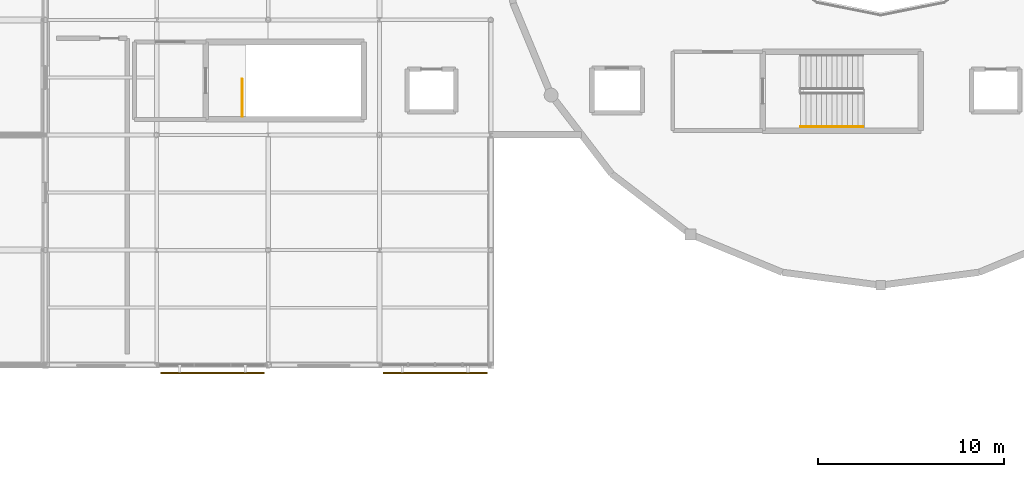
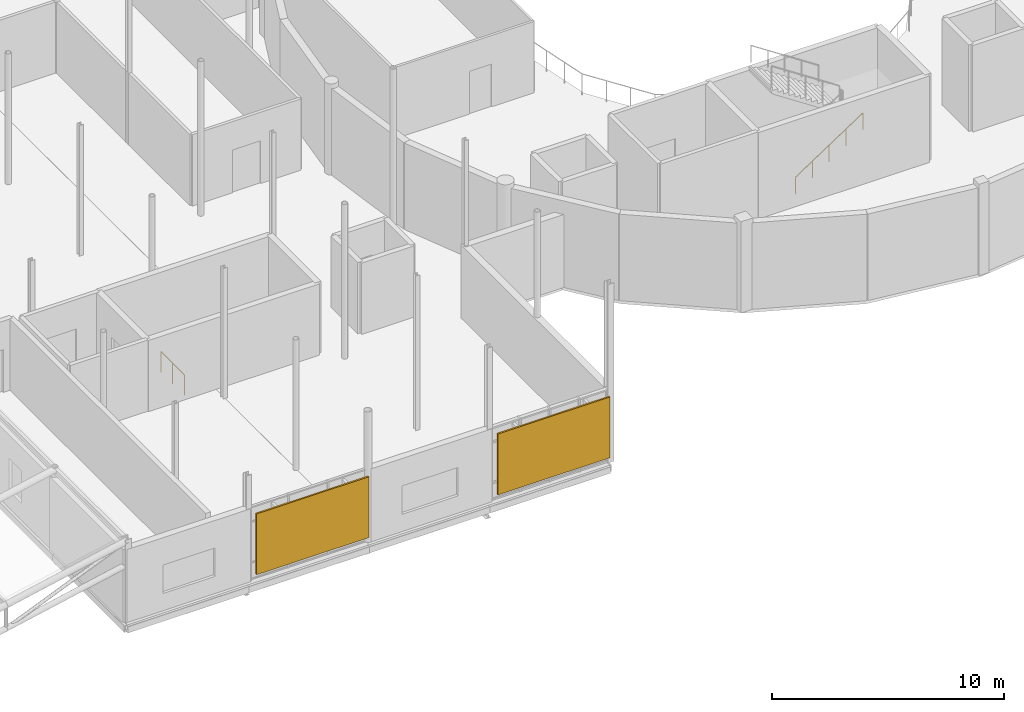
# One storey, part 56 of 66: 2 railings, 2 shading devices.
"""IFC4 building model written with IfcOpenShell, lengths in metres."""

from ifc_helpers import new_model, si_unit, direction, frame, origin, origin_2d, place, context, subcontext, project, spatial, rectangle, circle, extrude, material, layer, layer_set, type_object, element, save


model = new_model("IFC4")

# Units and contexts
model_context = context("Model", 3, precision=1e-05, world=origin(), true_north=direction((0.0, 1.0)))
body_context = subcontext(model_context, "Body", "Model", "MODEL_VIEW")
ifc_project = project(units=[si_unit("LENGTHUNIT", "METRE"), si_unit("AREAUNIT", "SQUARE_METRE"), si_unit("VOLUMEUNIT", "CUBIC_METRE"), si_unit("PLANEANGLEUNIT", "RADIAN"), si_unit("MASSUNIT", "GRAM", prefix="KILO")], contexts=[model_context])

# Site, building, storey
site_placement = place(None, origin())
site = spatial("IfcSite", under=ifc_project, at=site_placement, CompositionType="ELEMENT")
building_placement = place(site_placement, origin())
building = spatial("IfcBuilding", under=site, at=building_placement, Name="Mirzam Square Science Centre", CompositionType="ELEMENT")
storey_placement = place(building_placement, frame((0.0, 0.0, 15.60009765625)))
storey = spatial("IfcBuildingStorey", under=building, at=storey_placement, Name="L03", CompositionType="ELEMENT", Elevation=15.60009765625)

# Railings
ifc_material_1 = material(Name="Bronze-Anodised Architectural Balustrade", Category="aluminium")
railing_type_1 = type_object("IfcRailingType", Name="RL-INT-GUARD-1100", PredefinedType="GUARDRAIL", material=ifc_material_1)
railing_1_placement = place(storey_placement, frame((46.60009765625, 50.60009765625, 0.0)))
element("IfcRailing", 1, at=railing_1_placement, inside=storey, type_object=railing_type_1, Name="L03 ST-01 top well guard 1", PredefinedType="GUARDRAIL", context=body_context, shape_type="SweptSolid", body=[
    extrude(circle(Radius=0.02392578125, at=origin_2d()), frame((0.0, 0.0, 1.076171875), z_axis=(0.0, 1.0, 0.0), x_axis=(-1.0, 0.0, 0.0)), (0.0, 0.0, 1.0), 2.0),
    extrude(circle(Radius=0.02099609375, at=origin_2d()), origin(), (0.0, 0.0, 1.0), 1.052001953125),
    extrude(circle(Radius=0.02099609375, at=origin_2d()), frame((0.0, 1.0, 0.0)), (0.0, 0.0, 1.0), 1.052001953125),
    extrude(circle(Radius=0.02099609375, at=origin_2d()), frame((0.0, 2.0, 0.0)), (0.0, 0.0, 1.0), 1.052001953125),
])
ifc_material_2 = material(Name="Brushed Bronze Tubular Handrail", Category="aluminium")
railing_type_2 = type_object("IfcRailingType", Name="RL-STAIR-HANDRAIL-900", PredefinedType="HANDRAIL", material=ifc_material_2)
railing_2_placement = place(storey_placement, frame((76.68994140625, 50.050048828125, 0.381103515625)))
element("IfcRailing", 2, at=railing_2_placement, inside=storey, type_object=railing_type_2, Name="L03 ST-03 stair handrail 1", PredefinedType="HANDRAIL", context=body_context, shape_type="SweptSolid", body=[
    extrude(circle(Radius=0.02392578125, at=origin_2d()), frame((0.0, 0.0, 0.8759765625), z_axis=(0.834876476806, 0.0, 0.550437342915), x_axis=(0.0, 1.0, 0.0)), (0.0, 0.0, 1.0), 4.024658203125),
    extrude(circle(Radius=0.02099609375, at=origin_2d()), origin(), (0.0, 0.0, 1.0), 0.851806640625),
    extrude(circle(Radius=0.02099609375, at=origin_2d()), frame((0.840087890625, 0.0, 0.5537109375)), (0.0, 0.0, 1.0), 0.851806640625),
    extrude(circle(Radius=0.02099609375, at=origin_2d()), frame((1.68017578125, 0.0, 1.107666015625)), (0.0, 0.0, 1.0), 0.851806640625),
    extrude(circle(Radius=0.02099609375, at=origin_2d()), frame((2.52001953125, 0.0, 1.66162109375)), (0.0, 0.0, 1.0), 0.851806640625),
    extrude(circle(Radius=0.02099609375, at=origin_2d()), frame((3.360107421875, 0.0, 2.21533203125)), (0.0, 0.0, 1.0), 0.851806640625),
])

# Shading devices
ifc_material_3 = material(Name="Perforated Bronze-Anodised Aluminium Brise-Soleil", Category="aluminium")
ifc_layer = layer(ifc_material_3, 0.080078125)
ifc_layer_set = layer_set([ifc_layer], Name="SHD-BRISE-BRONZE")
shading_device_type = type_object("IfcShadingDeviceType", Name="SHD-BRISE-BRONZE", PredefinedType="JALOUSIE", material=ifc_layer_set)
for number, where, z_axis, x_axis, name in (
    (3, (45.0, 36.7900390625, 0.48974609375), (0.0, 0.0, 1.0), (1.0, 0.0, 0.0), "L03 bronze brise-soleil screen 32"),
    (4, (57.0, 36.7900390625, 0.48974609375), (0.0, 0.0, 1.0), (1.0, 0.0, 0.0), "L03 bronze brise-soleil screen 33"),
):
    element("IfcShadingDevice", number, at=place(storey_placement, frame(where, z_axis=z_axis, x_axis=x_axis)), inside=storey, type_object=shading_device_type, Name=name, PredefinedType="JALOUSIE", context=body_context, shape_type="SweptSolid", body=[
        extrude(rectangle(XDim=5.590087890625, YDim=0.080078125, at=origin_2d()), origin(), (0.0, 0.0, 1.0), 3.199951171875),
    ])

save(model, "model.ifc")
